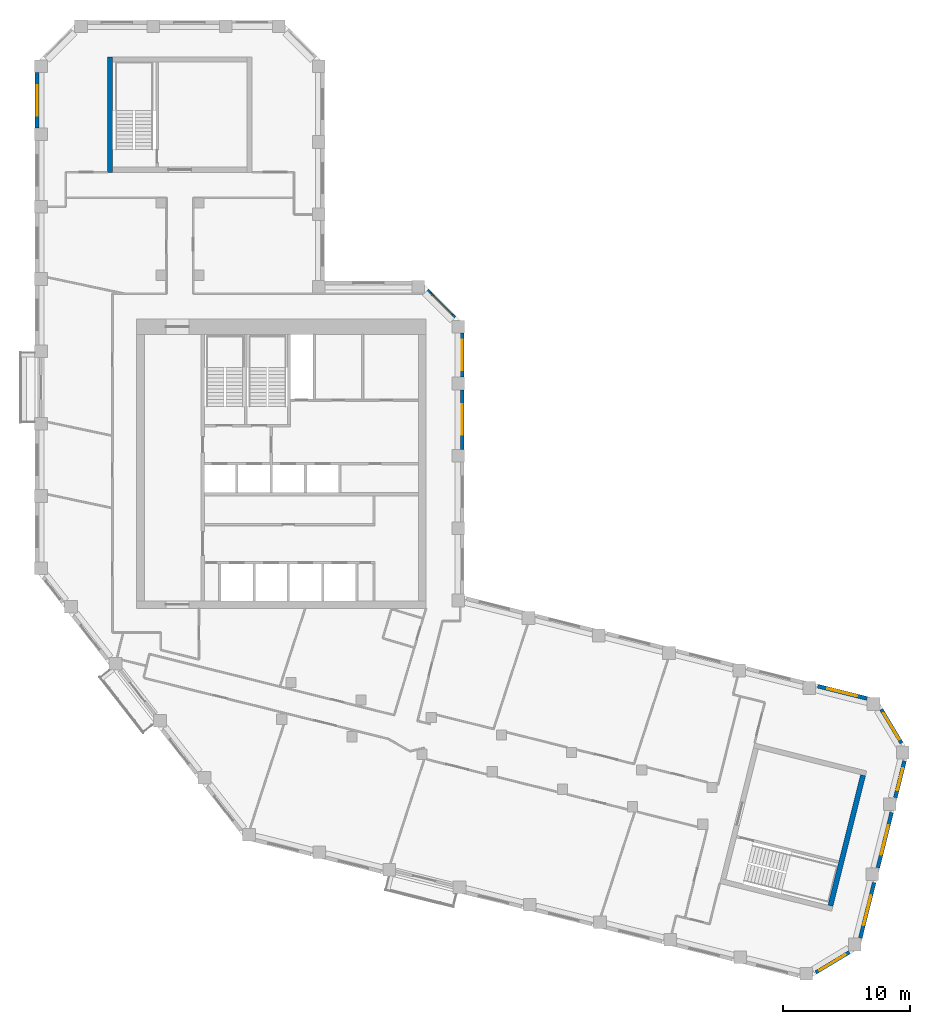
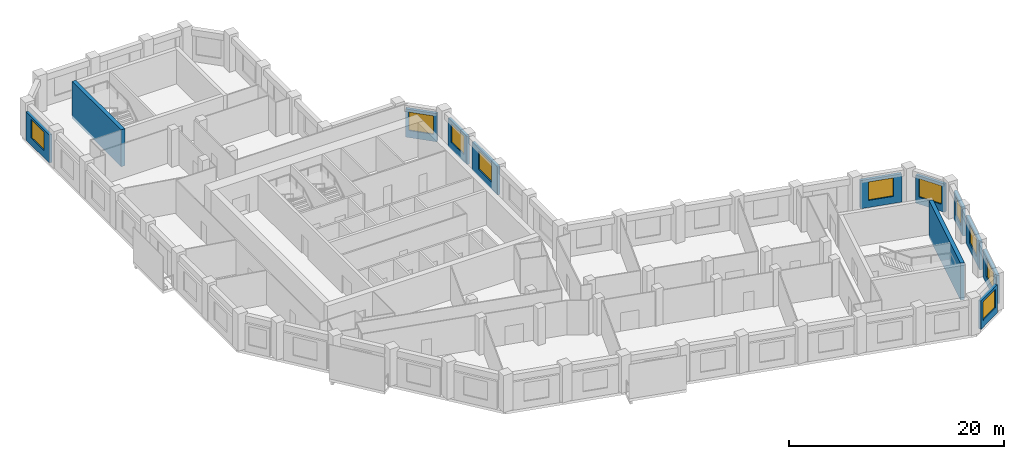
# One storey, part 7 of 9: 12 walls, 10 windows, 10 openings.
"""IFC4 building model written with IfcOpenShell, lengths in metres."""

from ifc_helpers import new_model, si_unit, direction, frame, frame_2d, origin, place, context, subcontext, project, spatial, rectangle, extrude, material, layer, layer_set, type_object, element, fill, save


model = new_model("IFC4")

# Units and contexts
model_context = context("Model", 3, precision=1e-05, world=origin(), true_north=direction((0.0, 1.0)))
body_context = subcontext(model_context, "Body", "Model", "MODEL_VIEW")
ifc_project = project(units=[si_unit("LENGTHUNIT", "METRE"), si_unit("AREAUNIT", "SQUARE_METRE"), si_unit("VOLUMEUNIT", "CUBIC_METRE"), si_unit("PLANEANGLEUNIT", "RADIAN"), si_unit("MASSUNIT", "GRAM", prefix="KILO")], contexts=[model_context])

# Site, building, storey
site_placement = place(None, origin())
site = spatial("IfcSite", under=ifc_project, at=site_placement, CompositionType="ELEMENT")
building_placement = place(site_placement, origin())
building = spatial("IfcBuilding", under=site, at=building_placement, Name="Meshkara Civic Tower", CompositionType="ELEMENT")
storey_placement = place(building_placement, frame((0.0, 0.0, 327.60009765625)))
storey = spatial("IfcBuildingStorey", under=building, at=storey_placement, Name="L75", CompositionType="ELEMENT", Elevation=327.60009765625)

# Wall, opening, window
ifc_material_1 = material(Name="Insulated infill panel with bronze anodised aluminium cladding", Category="aluminium")
ifc_layer_1 = layer(ifc_material_1, 0.300048828125)
ifc_layer_set_1 = layer_set([ifc_layer_1], Name="EXTERNAL INFILL WALL 300")
wall_type_1 = type_object("IfcWallType", Name="EXTERNAL INFILL WALL 300", PredefinedType="SOLIDWALL", material=ifc_layer_set_1)
wall_1_placement = place(storey_placement, frame((65.548095703125, 7.0, 0.0), z_axis=(0.0, 0.0, 1.0), x_axis=(-0.970260773365, 0.242062040951, 0.0)))
wall_1 = element("IfcWall", 1, at=wall_1_placement, inside=storey, type_object=wall_type_1, Name="External wall", PredefinedType="SOLIDWALL", context=body_context, shape_type="SweptSolid", body=[
    extrude(rectangle(XDim=4.003173828125, YDim=0.300048828125, at=frame_2d((2.00146484375, 0.0))), origin(), (0.0, 0.0, 1.0), 3.199951171875),
])
opening_1_placement = place(wall_1_placement, frame((0.801025390625, 0.0, 0.800048828125)))
opening_1 = element("IfcOpeningElement", 2, at=opening_1_placement, cuts=wall_1, Name="Opening W7", PredefinedType="OPENING", context=body_context, shape_type="SweptSolid", body=[
    extrude(rectangle(XDim=2.39990234375, YDim=2.10009765625, at=frame_2d((1.199951171875, 1.050048828125))), frame((0.0, 0.159912109375, 0.0), z_axis=(0.0, -1.0, 0.0), x_axis=(1.0, 0.0, 0.0)), (0.0, 0.0, 1.0), 0.320068359375),
])
ifc_material_2 = material(Name="Tinted double glazing", Category="glass")
window_type_1 = type_object("IfcWindowType", Name="WINDOW 2400x2100", PartitioningType="DOUBLE_PANEL_VERTICAL", PredefinedType="WINDOW", material=ifc_material_2)
window_1_placement = place(opening_1_placement, origin())
window_1 = element("IfcWindow", 3, at=window_1_placement, inside=storey, type_object=window_type_1, Name="Window", OverallHeight=2.10009765625, OverallWidth=2.39990234375, PartitioningType="DOUBLE_PANEL_VERTICAL", PredefinedType="WINDOW", context=body_context, shape_type="SweptSolid", body=[
    extrude(rectangle(XDim=2.39990234375, YDim=2.10009765625, at=frame_2d((1.199951171875, 1.050048828125))), frame((0.0, 0.030029296875, 0.0), z_axis=(0.0, -1.0, 0.0), x_axis=(1.0, 0.0, 0.0)), (0.0, 0.0, 1.0), 0.06005859375),
])
fill(opening_1, window_1)

wall_2_placement = place(storey_placement, frame((33.64990234375, 26.618896484375, 0.0), z_axis=(0.0, 0.0, 1.0), x_axis=(0.0, 1.0, 0.0)))
wall_2 = element("IfcWall", 4, at=wall_2_placement, inside=storey, type_object=wall_type_1, Name="External wall", PredefinedType="SOLIDWALL", context=body_context, shape_type="SweptSolid", body=[
    extrude(rectangle(XDim=4.7001953125, YDim=0.300048828125, at=frame_2d((2.35009765625, 0.0))), origin(), (0.0, 0.0, 1.0), 3.199951171875),
])
opening_2_placement = place(wall_2_placement, frame((1.14990234375, 0.0, 0.800048828125)))
opening_2 = element("IfcOpeningElement", 5, at=opening_2_placement, cuts=wall_2, Name="Opening W7", PredefinedType="OPENING", context=body_context, shape_type="SweptSolid", body=[
    extrude(rectangle(XDim=2.39990234375, YDim=2.10009765625, at=frame_2d((1.199951171875, 1.050048828125))), frame((0.0, 0.159912109375, 0.0), z_axis=(0.0, -1.0, 0.0), x_axis=(1.0, 0.0, 0.0)), (0.0, 0.0, 1.0), 0.320068359375),
])
window_2_placement = place(opening_2_placement, origin())
window_2 = element("IfcWindow", 6, at=window_2_placement, inside=storey, type_object=window_type_1, Name="Window", OverallHeight=2.10009765625, OverallWidth=2.39990234375, PartitioningType="DOUBLE_PANEL_VERTICAL", PredefinedType="WINDOW", context=body_context, shape_type="SweptSolid", body=[
    extrude(rectangle(XDim=2.39990234375, YDim=2.10009765625, at=frame_2d((1.199951171875, 1.050048828125))), frame((0.0, 0.030029296875, 0.0), z_axis=(0.0, -1.0, 0.0), x_axis=(1.0, 0.0, 0.0)), (0.0, 0.0, 1.0), 0.06005859375),
])
fill(opening_2, window_2)

wall_3_placement = place(storey_placement, frame((33.64990234375, 32.319091796875, 0.0), z_axis=(0.0, 0.0, 1.0), x_axis=(0.0, 1.0, 0.0)))
wall_3 = element("IfcWall", 7, at=wall_3_placement, inside=storey, type_object=wall_type_1, Name="External wall", PredefinedType="SOLIDWALL", context=body_context, shape_type="SweptSolid", body=[
    extrude(rectangle(XDim=3.474853515625, YDim=0.300048828125, at=frame_2d((1.7373046875, 0.0))), origin(), (0.0, 0.0, 1.0), 3.199951171875),
])
opening_3_placement = place(wall_3_placement, frame((0.5380859375, 0.0, 0.800048828125)))
opening_3 = element("IfcOpeningElement", 8, at=opening_3_placement, cuts=wall_3, Name="Opening W7", PredefinedType="OPENING", context=body_context, shape_type="SweptSolid", body=[
    extrude(rectangle(XDim=2.39990234375, YDim=2.10009765625, at=frame_2d((1.199951171875, 1.050048828125))), frame((0.0, 0.159912109375, 0.0), z_axis=(0.0, -1.0, 0.0), x_axis=(1.0, 0.0, 0.0)), (0.0, 0.0, 1.0), 0.320068359375),
])
window_3_placement = place(opening_3_placement, origin())
window_3 = element("IfcWindow", 9, at=window_3_placement, inside=storey, type_object=window_type_1, Name="Window", OverallHeight=2.10009765625, OverallWidth=2.39990234375, PartitioningType="DOUBLE_PANEL_VERTICAL", PredefinedType="WINDOW", context=body_context, shape_type="SweptSolid", body=[
    extrude(rectangle(XDim=2.39990234375, YDim=2.10009765625, at=frame_2d((1.199951171875, 1.050048828125))), frame((0.0, 0.030029296875, 0.0), z_axis=(0.0, -1.0, 0.0), x_axis=(1.0, 0.0, 0.0)), (0.0, 0.0, 1.0), 0.06005859375),
])
fill(opening_3, window_3)

wall_4_placement = place(storey_placement, frame((33.06201171875, 37.006103515625, 0.0), z_axis=(0.0, 0.0, 1.0), x_axis=(-0.707106781187, 0.707106781187, 0.0)))
wall_4 = element("IfcWall", 10, at=wall_4_placement, inside=storey, type_object=wall_type_1, Name="External wall", PredefinedType="SOLIDWALL", context=body_context, shape_type="SweptSolid", body=[
    extrude(rectangle(XDim=3.049072265625, YDim=0.300048828125, at=frame_2d((1.5244140625, 0.0))), origin(), (0.0, 0.0, 1.0), 3.199951171875),
])
opening_4_placement = place(wall_4_placement, frame((0.324951171875, 0.0, 0.800048828125)))
opening_4 = element("IfcOpeningElement", 11, at=opening_4_placement, cuts=wall_4, Name="Opening W7", PredefinedType="OPENING", context=body_context, shape_type="SweptSolid", body=[
    extrude(rectangle(XDim=2.39990234375, YDim=2.10009765625, at=frame_2d((1.199951171875, 1.050048828125))), frame((0.0, 0.159912109375, 0.0), z_axis=(0.0, -1.0, 0.0), x_axis=(1.0, 0.0, 0.0)), (0.0, 0.0, 1.0), 0.320068359375),
])
window_4_placement = place(opening_4_placement, origin())
window_4 = element("IfcWindow", 12, at=window_4_placement, inside=storey, type_object=window_type_1, Name="Window", OverallHeight=2.10009765625, OverallWidth=2.39990234375, PartitioningType="DOUBLE_PANEL_VERTICAL", PredefinedType="WINDOW", context=body_context, shape_type="SweptSolid", body=[
    extrude(rectangle(XDim=2.39990234375, YDim=2.10009765625, at=frame_2d((1.199951171875, 1.050048828125))), frame((0.0, 0.030029296875, 0.0), z_axis=(0.0, -1.0, 0.0), x_axis=(1.0, 0.0, 0.0)), (0.0, 0.0, 1.0), 0.06005859375),
])
fill(opening_4, window_4)

wall_5_placement = place(storey_placement, frame((0.14990234375, 56.31396484375, 0.0), z_axis=(0.0, 0.0, 1.0), x_axis=(0.0, -1.0, 0.0)))
wall_5 = element("IfcWall", 13, at=wall_5_placement, inside=storey, type_object=wall_type_1, Name="External wall", PredefinedType="SOLIDWALL", context=body_context, shape_type="SweptSolid", body=[
    extrude(rectangle(XDim=4.35888671875, YDim=0.300048828125, at=frame_2d((2.179443359375, 0.0))), origin(), (0.0, 0.0, 1.0), 3.199951171875),
])
opening_5_placement = place(wall_5_placement, frame((0.97998046875, 0.0, 0.800048828125)))
opening_5 = element("IfcOpeningElement", 14, at=opening_5_placement, cuts=wall_5, Name="Opening W7", PredefinedType="OPENING", context=body_context, shape_type="SweptSolid", body=[
    extrude(rectangle(XDim=2.39990234375, YDim=2.10009765625, at=frame_2d((1.199951171875, 1.050048828125))), frame((0.0, 0.159912109375, 0.0), z_axis=(0.0, -1.0, 0.0), x_axis=(1.0, 0.0, 0.0)), (0.0, 0.0, 1.0), 0.320068359375),
])
window_5_placement = place(opening_5_placement, origin())
window_5 = element("IfcWindow", 15, at=window_5_placement, inside=storey, type_object=window_type_1, Name="Window", OverallHeight=2.10009765625, OverallWidth=2.39990234375, PartitioningType="DOUBLE_PANEL_VERTICAL", PredefinedType="WINDOW", context=body_context, shape_type="SweptSolid", body=[
    extrude(rectangle(XDim=2.39990234375, YDim=2.10009765625, at=frame_2d((1.199951171875, 1.050048828125))), frame((0.0, 0.030029296875, 0.0), z_axis=(0.0, -1.0, 0.0), x_axis=(1.0, 0.0, 0.0)), (0.0, 0.0, 1.0), 0.06005859375),
])
fill(opening_5, window_5)

wall_6_placement = place(storey_placement, frame((61.509033203125, -14.591064453125, 0.0), z_axis=(0.0, 0.0, 1.0), x_axis=(0.856969799001, 0.515366630275, 0.0)))
wall_6 = element("IfcWall", 16, at=wall_6_placement, inside=storey, type_object=wall_type_1, Name="External wall", PredefinedType="SOLIDWALL", context=body_context, shape_type="SweptSolid", body=[
    extrude(rectangle(XDim=3.091064453125, YDim=0.300048828125, at=frame_2d((1.54541015625, 0.0))), origin(), (0.0, 0.0, 1.0), 3.199951171875),
])
opening_6_placement = place(wall_6_placement, frame((0.344970703125, 0.0, 0.800048828125)))
opening_6 = element("IfcOpeningElement", 17, at=opening_6_placement, cuts=wall_6, Name="Opening W7", PredefinedType="OPENING", context=body_context, shape_type="SweptSolid", body=[
    extrude(rectangle(XDim=2.39990234375, YDim=2.10009765625, at=frame_2d((1.199951171875, 1.050048828125))), frame((0.0, 0.159912109375, 0.0), z_axis=(0.0, -1.0, 0.0), x_axis=(1.0, 0.0, 0.0)), (0.0, 0.0, 1.0), 0.320068359375),
])
window_6_placement = place(opening_6_placement, origin())
window_6 = element("IfcWindow", 18, at=window_6_placement, inside=storey, type_object=window_type_1, Name="Window", OverallHeight=2.10009765625, OverallWidth=2.39990234375, PartitioningType="DOUBLE_PANEL_VERTICAL", PredefinedType="WINDOW", context=body_context, shape_type="SweptSolid", body=[
    extrude(rectangle(XDim=2.39990234375, YDim=2.10009765625, at=frame_2d((1.199951171875, 1.050048828125))), frame((0.0, 0.030029296875, 0.0), z_axis=(0.0, -1.0, 0.0), x_axis=(1.0, 0.0, 0.0)), (0.0, 0.0, 1.0), 0.06005859375),
])
fill(opening_6, window_6)

wall_7_placement = place(storey_placement, frame((65.029052734375, -11.8720703125, 0.0), z_axis=(0.0, 0.0, 1.0), x_axis=(0.241946839653, 0.970289506684, 0.0)))
wall_7 = element("IfcWall", 19, at=wall_7_placement, inside=storey, type_object=wall_type_1, Name="External wall", PredefinedType="SOLIDWALL", context=body_context, shape_type="SweptSolid", body=[
    extrude(rectangle(XDim=4.48828125, YDim=0.300048828125, at=frame_2d((2.244140625, 0.0))), origin(), (0.0, 0.0, 1.0), 3.199951171875),
])
opening_7_placement = place(wall_7_placement, frame((1.0439453125, 0.0, 0.800048828125)))
opening_7 = element("IfcOpeningElement", 20, at=opening_7_placement, cuts=wall_7, Name="Opening W7", PredefinedType="OPENING", context=body_context, shape_type="SweptSolid", body=[
    extrude(rectangle(XDim=2.39990234375, YDim=2.10009765625, at=frame_2d((1.199951171875, 1.050048828125))), frame((0.0, 0.159912109375, 0.0), z_axis=(0.0, -1.0, 0.0), x_axis=(1.0, 0.0, 0.0)), (0.0, 0.0, 1.0), 0.320068359375),
])
window_7_placement = place(opening_7_placement, origin())
window_7 = element("IfcWindow", 21, at=window_7_placement, inside=storey, type_object=window_type_1, Name="Window", OverallHeight=2.10009765625, OverallWidth=2.39990234375, PartitioningType="DOUBLE_PANEL_VERTICAL", PredefinedType="WINDOW", context=body_context, shape_type="SweptSolid", body=[
    extrude(rectangle(XDim=2.39990234375, YDim=2.10009765625, at=frame_2d((1.199951171875, 1.050048828125))), frame((0.0, 0.030029296875, 0.0), z_axis=(0.0, -1.0, 0.0), x_axis=(1.0, 0.0, 0.0)), (0.0, 0.0, 1.0), 0.06005859375),
])
fill(opening_7, window_7)

wall_8_placement = place(storey_placement, frame((66.407958984375, -6.341064453125, 0.0), z_axis=(0.0, 0.0, 1.0), x_axis=(0.241997928406, 0.970276766004, 0.0)))
wall_8 = element("IfcWall", 22, at=wall_8_placement, inside=storey, type_object=wall_type_1, Name="External wall", PredefinedType="SOLIDWALL", context=body_context, shape_type="SweptSolid", body=[
    extrude(rectangle(XDim=4.4873046875, YDim=0.300048828125, at=frame_2d((2.24365234375, 0.0))), origin(), (0.0, 0.0, 1.0), 3.199951171875),
])
opening_8_placement = place(wall_8_placement, frame((1.0439453125, 0.0, 0.800048828125)))
opening_8 = element("IfcOpeningElement", 23, at=opening_8_placement, cuts=wall_8, Name="Opening W7", PredefinedType="OPENING", context=body_context, shape_type="SweptSolid", body=[
    extrude(rectangle(XDim=2.39990234375, YDim=2.10009765625, at=frame_2d((1.199951171875, 1.050048828125))), frame((0.0, 0.159912109375, 0.0), z_axis=(0.0, -1.0, 0.0), x_axis=(1.0, 0.0, 0.0)), (0.0, 0.0, 1.0), 0.320068359375),
])
window_8_placement = place(opening_8_placement, origin())
window_8 = element("IfcWindow", 24, at=window_8_placement, inside=storey, type_object=window_type_1, Name="Window", OverallHeight=2.10009765625, OverallWidth=2.39990234375, PartitioningType="DOUBLE_PANEL_VERTICAL", PredefinedType="WINDOW", context=body_context, shape_type="SweptSolid", body=[
    extrude(rectangle(XDim=2.39990234375, YDim=2.10009765625, at=frame_2d((1.199951171875, 1.050048828125))), frame((0.0, 0.030029296875, 0.0), z_axis=(0.0, -1.0, 0.0), x_axis=(1.0, 0.0, 0.0)), (0.0, 0.0, 1.0), 0.06005859375),
])
fill(opening_8, window_8)

wall_9_placement = place(storey_placement, frame((67.787109375, -0.81103515625, 0.0), z_axis=(0.0, 0.0, 1.0), x_axis=(0.242052773757, 0.970263085311, 0.0)))
wall_9 = element("IfcWall", 25, at=wall_9_placement, inside=storey, type_object=wall_type_1, Name="External wall", PredefinedType="SOLIDWALL", context=body_context, shape_type="SweptSolid", body=[
    extrude(rectangle(XDim=2.974365234375, YDim=0.300048828125, at=frame_2d((1.4873046875, 0.0))), origin(), (0.0, 0.0, 1.0), 3.199951171875),
])
opening_9_placement = place(wall_9_placement, frame((0.5869140625, 0.0, 0.800048828125)))
opening_9 = element("IfcOpeningElement", 26, at=opening_9_placement, cuts=wall_9, Name="Opening W9", PredefinedType="OPENING", context=body_context, shape_type="SweptSolid", body=[
    extrude(rectangle(XDim=1.800048828125, YDim=2.10009765625, at=frame_2d((0.89990234375, 1.050048828125))), frame((0.0, 0.159912109375, 0.0), z_axis=(0.0, -1.0, 0.0), x_axis=(1.0, 0.0, 0.0)), (0.0, 0.0, 1.0), 0.320068359375),
])
ifc_material_3 = material(Name="Tinted double glazing", Category="glass")
window_type_2 = type_object("IfcWindowType", Name="WINDOW 1800x2100", PartitioningType="DOUBLE_PANEL_VERTICAL", PredefinedType="WINDOW", material=ifc_material_3)
window_9_placement = place(opening_9_placement, origin())
window_9 = element("IfcWindow", 27, at=window_9_placement, inside=storey, type_object=window_type_2, Name="Window", OverallHeight=2.10009765625, OverallWidth=1.800048828125, PartitioningType="DOUBLE_PANEL_VERTICAL", PredefinedType="WINDOW", context=body_context, shape_type="SweptSolid", body=[
    extrude(rectangle(XDim=1.800048828125, YDim=2.10009765625, at=frame_2d((0.89990234375, 1.050048828125))), frame((0.0, 0.030029296875, 0.0), z_axis=(0.0, -1.0, 0.0), x_axis=(1.0, 0.0, 0.0)), (0.0, 0.0, 1.0), 0.06005859375),
])
fill(opening_9, window_9)

wall_10_placement = place(storey_placement, frame((68.26611328125, 3.47900390625, 0.0), z_axis=(0.0, 0.0, 1.0), x_axis=(-0.514995068029, 0.857193140375, 0.0)))
wall_10 = element("IfcWall", 28, at=wall_10_placement, inside=storey, type_object=wall_type_1, Name="External wall", PredefinedType="SOLIDWALL", context=body_context, shape_type="SweptSolid", body=[
    extrude(rectangle(XDim=3.09130859375, YDim=0.300048828125, at=frame_2d((1.545654296875, 0.0))), origin(), (0.0, 0.0, 1.0), 3.199951171875),
])
opening_10_placement = place(wall_10_placement, frame((0.345947265625, 0.0, 0.800048828125)))
opening_10 = element("IfcOpeningElement", 29, at=opening_10_placement, cuts=wall_10, Name="Opening W7", PredefinedType="OPENING", context=body_context, shape_type="SweptSolid", body=[
    extrude(rectangle(XDim=2.39990234375, YDim=2.10009765625, at=frame_2d((1.199951171875, 1.050048828125))), frame((0.0, 0.159912109375, 0.0), z_axis=(0.0, -1.0, 0.0), x_axis=(1.0, 0.0, 0.0)), (0.0, 0.0, 1.0), 0.320068359375),
])
window_10_placement = place(opening_10_placement, origin())
window_10 = element("IfcWindow", 30, at=window_10_placement, inside=storey, type_object=window_type_1, Name="Window", OverallHeight=2.10009765625, OverallWidth=2.39990234375, PartitioningType="DOUBLE_PANEL_VERTICAL", PredefinedType="WINDOW", context=body_context, shape_type="SweptSolid", body=[
    extrude(rectangle(XDim=2.39990234375, YDim=2.10009765625, at=frame_2d((1.199951171875, 1.050048828125))), frame((0.0, 0.030029296875, 0.0), z_axis=(0.0, -1.0, 0.0), x_axis=(1.0, 0.0, 0.0)), (0.0, 0.0, 1.0), 0.06005859375),
])
fill(opening_10, window_10)

# Walls
ifc_material_4 = material(Name="Concrete C60", Category="concrete")
ifc_layer_2 = layer(ifc_material_4, 0.39990234375)
ifc_layer_set_2 = layer_set([ifc_layer_2], Name="End core ring wall 400 C60")
wall_type_2 = type_object("IfcWallType", Name="End core ring wall 400 C60", PredefinedType="SHEAR", material=ifc_layer_set_2)
wall_11_placement = place(storey_placement, frame((5.89990234375, 48.469970703125, -0.300048828125), z_axis=(0.0, 0.0, 1.0), x_axis=(0.0, 1.0, 0.0)))
element("IfcWall", 31, at=wall_11_placement, inside=storey, type_object=wall_type_2, Name="L75-C027", PredefinedType="SHEAR", context=body_context, shape_type="SweptSolid", body=[
    extrude(rectangle(XDim=9.10009765625, YDim=0.39990234375, at=frame_2d((4.550048828125, 0.0))), origin(), (0.0, 0.0, 1.0), 4.199951171875),
])
wall_12_placement = place(storey_placement, frame((62.672119140625, -9.339111328125, -0.300048828125), z_axis=(0.0, 0.0, 1.0), x_axis=(0.241971982666, 0.970283236795, 0.0)))
element("IfcWall", 32, at=wall_12_placement, inside=storey, type_object=wall_type_2, Name="L75-C035", PredefinedType="SHEAR", context=body_context, shape_type="SweptSolid", body=[
    extrude(rectangle(XDim=10.60009765625, YDim=0.39990234375, at=frame_2d((5.300048828125, 0.0))), origin(), (0.0, 0.0, 1.0), 4.199951171875),
])

save(model, "model.ifc")
